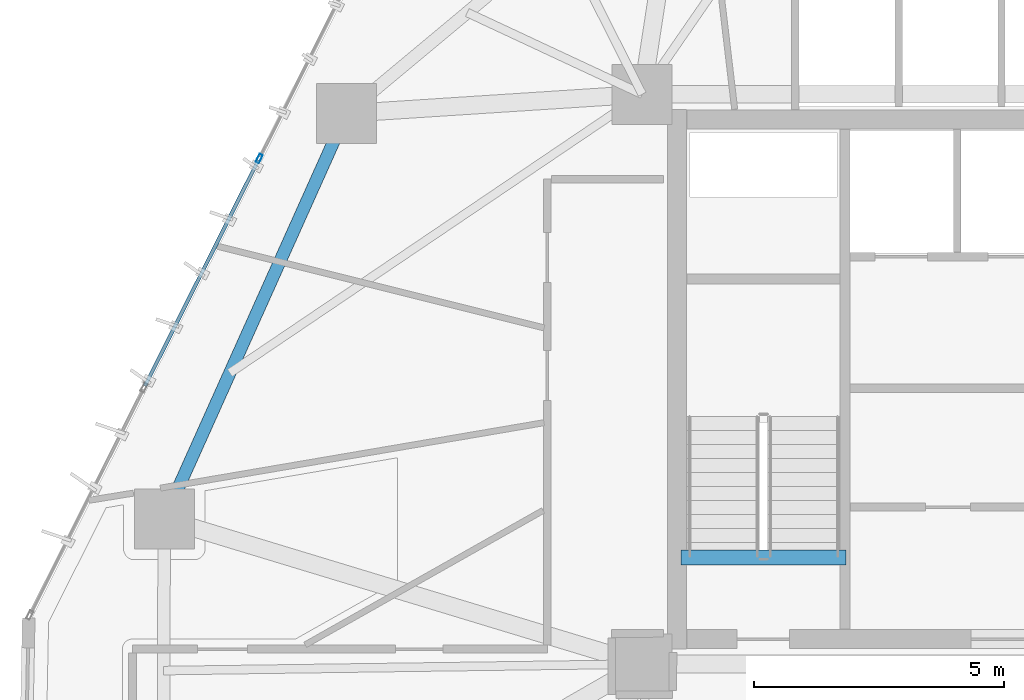
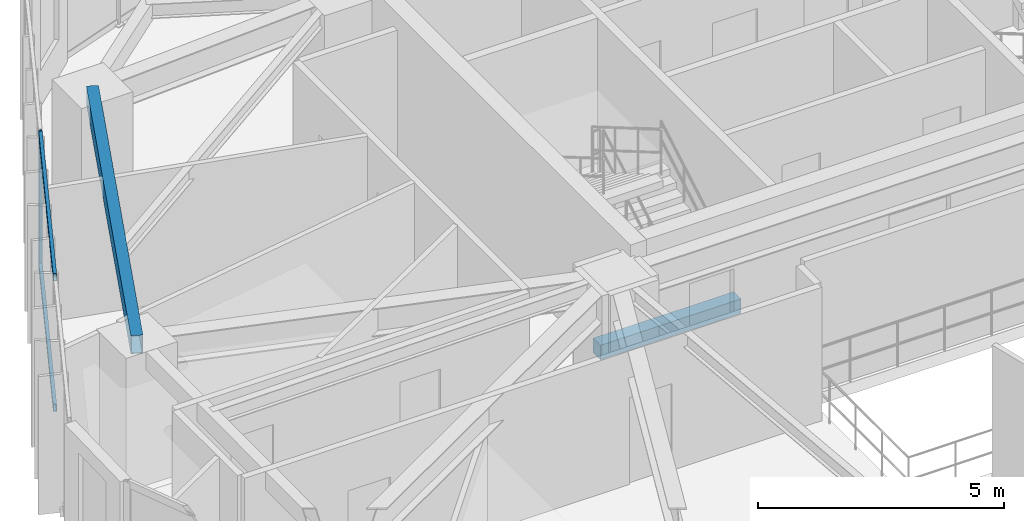
# One storey, part 8 of 21: 3 members, 2 beams, 1 element without a shape of its own.
"""IFC4 building model written with IfcOpenShell, lengths in metres."""

from ifc_helpers import new_model, si_unit, direction, frame, origin, origin_2d, place, context, subcontext, project, spatial, rectangle, hollow_rectangle, extrude, source, transform, mapped, material, layer, layer_set, material_profile, profile_set, type_object, type_shapes, element, aggregate, save


model = new_model("IFC4")

# Units and contexts
model_context = context("Model", 3, precision=1e-05, world=origin(), true_north=direction((0.0, 1.0)))
body_context = subcontext(model_context, "Body", "Model", "MODEL_VIEW")
ifc_project = project(units=[si_unit("LENGTHUNIT", "METRE"), si_unit("AREAUNIT", "SQUARE_METRE"), si_unit("VOLUMEUNIT", "CUBIC_METRE"), si_unit("PLANEANGLEUNIT", "RADIAN"), si_unit("MASSUNIT", "GRAM", prefix="KILO")], contexts=[model_context])

# Site, building, storey
site_placement = place(None, origin())
site = spatial("IfcSite", under=ifc_project, at=site_placement, CompositionType="ELEMENT")
building_placement = place(site_placement, origin())
building = spatial("IfcBuilding", under=site, at=building_placement, Name="Talar Marvaseh", CompositionType="ELEMENT")
storey_placement = place(building_placement, frame((0.0, 0.0, 147.0)))
storey = spatial("IfcBuildingStorey", under=building, at=storey_placement, Name="L38", CompositionType="ELEMENT", Elevation=147.0)

# Beams
ifc_material_1 = material(Name="Concrete C40/50", Category="concrete")
ifc_material_profile_1 = material_profile(ifc_material_1, rectangle(XDim=0.300048828125, YDim=0.360107421875, at=origin_2d()), Name="RC300x360")
ifc_profile_set_1 = profile_set([ifc_material_profile_1], Name="Concrete C40/50")
beam_type_1 = type_object("IfcBeamType", Name="Concrete Stair Landing Trimmer Beam RC300x360", PredefinedType="SPANDREL", material=ifc_profile_set_1)
beam_1_placement = place(storey_placement, frame((22.780029296875, 27.6298828125, -0.179931640625), z_axis=(-1.0, 0.0, 0.0), x_axis=(0.0, -1.0, 0.0)))
element("IfcBeam", 1, at=beam_1_placement, inside=storey, type_object=beam_type_1, Name="L38 ST-1 Stair Nosing Trimmer Beam", PredefinedType="SPANDREL", context=body_context, shape_type="SweptSolid", body=[
    extrude(rectangle(XDim=0.300048828125, YDim=0.360107421875, at=origin_2d()), origin(), (0.0, 0.0, 1.0), 3.300048828125),
])
ifc_material_2 = material(Name="Steel S355", Category="steel")
ifc_material_profile_2 = material_profile(ifc_material_2, hollow_rectangle(XDim=0.25, YDim=0.449951171875, WallThickness=0.01611328125, at=origin_2d()), Name="RHS450x250x16")
ifc_profile_set_2 = profile_set([ifc_material_profile_2], Name="Steel S355")
beam_type_2 = type_object("IfcBeamType", Name="Zone 2 Perimeter Spandrel Beam RHS450x250x16", PredefinedType="SPANDREL", material=ifc_profile_set_2)
beam_2_placement = place(storey_placement, frame((9.137939453125, 28.402099609375, 3.0849609375), z_axis=(0.409461733275, 0.912327292688, 0.0), x_axis=(-0.912327292688, 0.409461733275, 0.0)))
element("IfcBeam", 2, at=beam_2_placement, inside=storey, type_object=beam_type_2, Name="L38 Zone 2 Perimeter Spandrel Beam RHS450x250x16", PredefinedType="SPANDREL", context=body_context, shape_type="SweptSolid", body=[
    extrude(hollow_rectangle(XDim=0.25, YDim=0.449951171875, WallThickness=0.01611328125, at=origin_2d()), origin(), (0.0, 0.0, 1.0), 8.894775390625),
])

# Curtain wall, members
ifc_material_3 = material(Name="Architectural Aluminium", Category="aluminium")
ifc_layer = layer(ifc_material_3, 0.199951171875)
ifc_layer_set = layer_set([ifc_layer], Name="Architectural Aluminium")
curtain_wall_type = type_object("IfcCurtainWallType", Name="Unitised Acoustic Library Curtain Wall Z2", PredefinedType="NOTDEFINED", material=ifc_layer_set)
curtain_wall_placement = place(storey_placement, origin())
curtain_wall = element("IfcCurtainWall", 3, at=curtain_wall_placement, inside=storey, type_object=curtain_wall_type, Name="L38 Unitised Acoustic Library Curtain Wall Z2", PredefinedType="NOTDEFINED")
ifc_material_profile_3 = material_profile(ifc_material_3, hollow_rectangle(XDim=0.074951171875, YDim=0.179931640625, WallThickness=0.0048828125, at=origin_2d()), Name="RHS180x75x5")
ifc_profile_set_3 = profile_set([ifc_material_profile_3], Name="Architectural Aluminium")
member_type_1 = type_object("IfcMemberType", Name="Unitised Curtain Wall Standard Mullion RHS180x75x5", PredefinedType="MULLION", material=ifc_profile_set_3)
shared_shape_1 = source(origin(), body_context, "Body", "SweptSolid", [
    extrude(hollow_rectangle(XDim=0.074951171875, YDim=0.179931640625, WallThickness=0.0048828125, at=origin_2d()), origin(), (0.0, 0.0, 1.0), 3.31005859375),
])
type_shapes(member_type_1, [shared_shape_1])
member_1_placement = place(storey_placement, frame((11.037841796875, 35.61376953125, 0.0), z_axis=(0.0, 0.0, 1.0), x_axis=(-0.893514361741, 0.449034614883, 0.0)))
member_1 = element("IfcMember", 4, at=member_1_placement, type_object=member_type_1, Name="CW-Z2 mullion 3", PredefinedType="MULLION", context=body_context, shape_type="MappedRepresentation", body=[
    mapped(shared_shape_1, transform((0.0, 0.0, 0.0), x_axis=(1.0, 0.0, 0.0), y_axis=(0.0, 1.0, 0.0), z_axis=(0.0, 0.0, 1.0), scale=1.0)),
])
ifc_material_profile_4 = material_profile(ifc_material_3, hollow_rectangle(XDim=0.074951171875, YDim=0.179931640625, WallThickness=0.0048828125, at=origin_2d()), Name="RHS180x75x5")
ifc_profile_set_4 = profile_set([ifc_material_profile_4], Name="Architectural Aluminium")
member_type_2 = type_object("IfcMemberType", Name="Unitised Curtain Wall Transom RHS180x75x5", PredefinedType="USERDEFINED", material=ifc_profile_set_4)
shared_shape_2 = source(origin(), body_context, "Body", "SweptSolid", [
    extrude(hollow_rectangle(XDim=0.074951171875, YDim=0.179931640625, WallThickness=0.0048828125, at=origin_2d()), origin(), (0.0, 0.0, 1.0), 5.05517578125),
])
type_shapes(member_type_2, [shared_shape_2])
member_2_placement = place(storey_placement, frame((8.751220703125, 31.0634765625, 0.03759765625), z_axis=(0.449009310087, 0.893527078188, 0.0), x_axis=(-0.893527078188, 0.449009310087, 0.0)))
member_2 = element("IfcMember", 5, at=member_2_placement, type_object=member_type_2, Name="CW-Z2 transom 2.1", ObjectType="TRANSOM", PredefinedType="USERDEFINED", context=body_context, shape_type="MappedRepresentation", body=[
    mapped(shared_shape_2, transform((0.0, 0.0, 0.0), x_axis=(1.0, 0.0, 0.0), y_axis=(0.0, 1.0, 0.0), z_axis=(0.0, 0.0, 1.0), scale=1.0)),
])
member_3_placement = place(storey_placement, frame((8.751220703125, 31.0634765625, 3.2724609375), z_axis=(0.449009310087, 0.893527078188, 0.0), x_axis=(-0.893527078188, 0.449009310087, 0.0)))
member_3 = element("IfcMember", 6, at=member_3_placement, type_object=member_type_2, Name="CW-Z2 transom 2.2", ObjectType="TRANSOM", PredefinedType="USERDEFINED", context=body_context, shape_type="MappedRepresentation", body=[
    mapped(shared_shape_2, transform((0.0, 0.0, 0.0), x_axis=(1.0, 0.0, 0.0), y_axis=(0.0, 1.0, 0.0), z_axis=(0.0, 0.0, 1.0), scale=1.0)),
])
aggregate(curtain_wall, [member_1, member_2, member_3])

save(model, "model.ifc")
